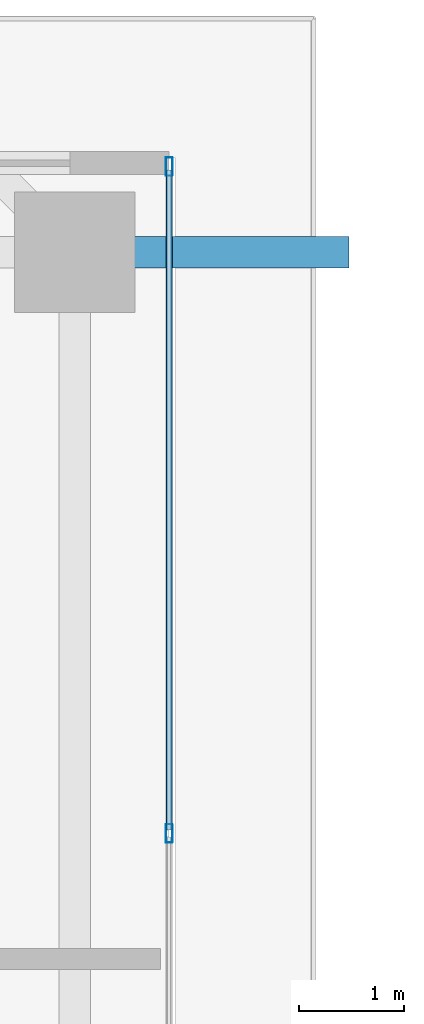
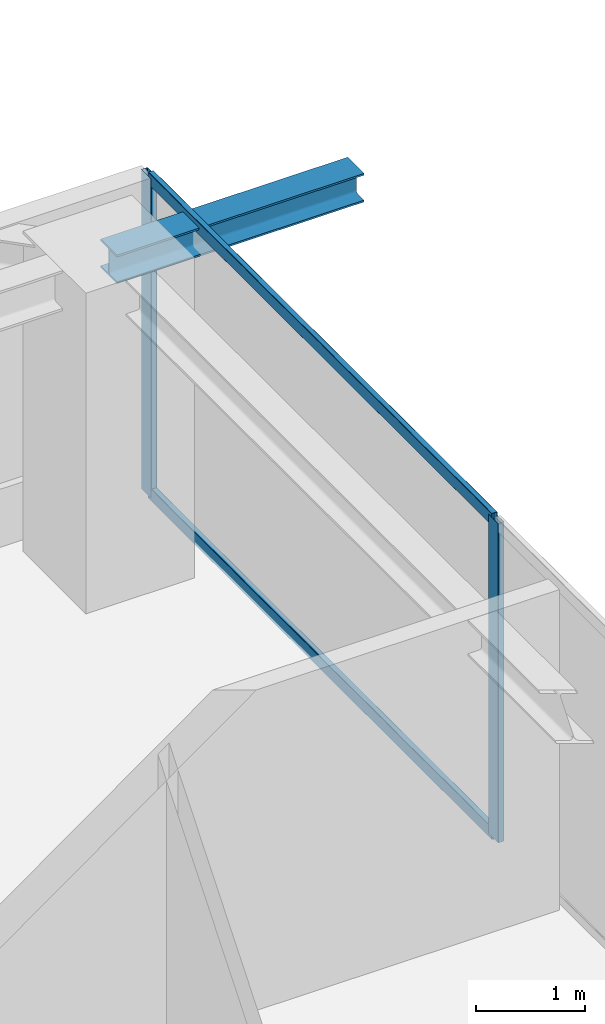
# One storey, part 22 of 36: 4 members, 1 beam, 1 element without a shape of its own.
"""IFC4 building model written with IfcOpenShell, lengths in metres."""

from ifc_helpers import new_model, si_unit, direction, frame, origin, origin_2d, place, context, subcontext, project, spatial, hollow_rectangle, i_section, extrude, source, transform, mapped, material, layer, layer_set, material_profile, profile_set, type_object, element, aggregate, save


model = new_model("IFC4")

# Units and contexts
model_context = context("Model", 3, precision=1e-05, world=origin(), true_north=direction((0.0, 1.0)))
body_context = subcontext(model_context, "Body", "Model", "MODEL_VIEW")
ifc_project = project(units=[si_unit("LENGTHUNIT", "METRE"), si_unit("AREAUNIT", "SQUARE_METRE"), si_unit("VOLUMEUNIT", "CUBIC_METRE"), si_unit("PLANEANGLEUNIT", "RADIAN"), si_unit("MASSUNIT", "GRAM", prefix="KILO")], contexts=[model_context])

# Site, building, storey
site_placement = place(None, origin())
site = spatial("IfcSite", under=ifc_project, at=site_placement, CompositionType="ELEMENT")
building_placement = place(site_placement, origin())
building = spatial("IfcBuilding", under=site, at=building_placement, Name="Serunith Strait Residences", CompositionType="ELEMENT")
storey_placement = place(building_placement, frame((0.0, 0.0, 225.85009765625)))
storey = spatial("IfcBuildingStorey", under=building, at=storey_placement, Name="L56", CompositionType="ELEMENT", Elevation=225.85009765625)

# Beam
ifc_material_1 = material(Name="Steel S355J2", Category="steel")
ifc_material_profile_1 = material_profile(ifc_material_1, i_section(OverallWidth=0.300048828125, OverallDepth=0.320068359375, WebThickness=0.011474609375, FlangeThickness=0.0205078125, FilletRadius=0.027099609375, at=origin_2d()), Name="HEB 320")
ifc_profile_set_1 = profile_set([ifc_material_profile_1], Name="Steel S355J2")
beam_type = type_object("IfcBeamType", Name="BM-HEB320", PredefinedType="BEAM", material=ifc_profile_set_1)
shared_shape_1 = source(origin(), body_context, "Body", "SweptSolid", [
    extrude(i_section(OverallWidth=0.300048828125, OverallDepth=0.320068359375, WebThickness=0.011474609375, FlangeThickness=0.0205078125, FilletRadius=0.027099609375, at=origin_2d()), origin(), (0.0, 0.0, 1.0), 2.617431640625),
])
beam_placement = place(storey_placement, frame((56.5, 40.35009765625, 3.39697265625), z_axis=(1.0, 0.0, 0.0), x_axis=(0.0, 1.0, 0.0)))
element("IfcBeam", 1, at=beam_placement, inside=storey, type_object=beam_type, Name="L57 Cantilevered Balcony Rib TC-E4", PredefinedType="BEAM", context=body_context, shape_type="MappedRepresentation", body=[
    mapped(shared_shape_1, transform((0.0, 0.0, 0.0), scale=1.0)),
])

# Curtain wall, members
ifc_material_2 = material(Name="Pale-Champagne Anodised Aluminium", Category="aluminium")
ifc_layer = layer(ifc_material_2, 0.199951171875, Name="Pale-Champagne Anodised Aluminium")
ifc_layer_set = layer_set([ifc_layer], Name="Pale-Champagne Anodised Aluminium")
curtain_wall_type = type_object("IfcCurtainWallType", Name="CW-SYS4", PredefinedType="NOTDEFINED", material=ifc_layer_set)
curtain_wall_placement = place(storey_placement, origin())
curtain_wall = element("IfcCurtainWall", 2, at=curtain_wall_placement, inside=storey, type_object=curtain_wall_type, Name="L56 E Unitised Fritted Curtain Wall", PredefinedType="NOTDEFINED")
ifc_material_profile_2 = material_profile(ifc_material_2, hollow_rectangle(XDim=0.06494140625, YDim=0.179931640625, WallThickness=0.00341796875, InnerFilletRadius=0.00537109375, OuterFilletRadius=0.0087890625, at=origin_2d()), Name="ALU 180x65x3.5")
ifc_profile_set_2 = profile_set([ifc_material_profile_2], Name="Pale-Champagne Anodised Aluminium")
member_type_1 = type_object("IfcMemberType", Name="CW-SYS4-MULL", PredefinedType="MULLION", material=ifc_profile_set_2)
shared_shape_2 = source(origin(), body_context, "Body", "SweptSolid", [
    extrude(hollow_rectangle(XDim=0.06494140625, YDim=0.179931640625, WallThickness=0.00341796875, InnerFilletRadius=0.00537109375, OuterFilletRadius=0.0087890625, at=origin_2d()), origin(), (0.0, 0.0, 1.0), 3.574951171875),
])
member_1_placement = place(storey_placement, frame((57.39990234375, 34.800048828125, 0.0), z_axis=(0.0, 0.0, 1.0), x_axis=(-1.0, 0.0, 0.0)))
member_1 = element("IfcMember", 3, at=member_1_placement, type_object=member_type_1, Name="CW-4 mullion 5", PredefinedType="MULLION", context=body_context, shape_type="MappedRepresentation", body=[
    mapped(shared_shape_2, transform((0.0, 0.0, 0.0), scale=1.0)),
])
member_2_placement = place(storey_placement, frame((57.39990234375, 41.16748046875, 0.0), z_axis=(0.0, 0.0, 1.0), x_axis=(-1.0, 0.0, 0.0)))
member_2 = element("IfcMember", 4, at=member_2_placement, type_object=member_type_1, Name="CW-4 mullion 6", PredefinedType="MULLION", context=body_context, shape_type="MappedRepresentation", body=[
    mapped(shared_shape_2, transform((0.0, 0.0, 0.0), scale=1.0)),
])
ifc_material_profile_3 = material_profile(ifc_material_2, hollow_rectangle(XDim=0.06005859375, YDim=0.139892578125, WallThickness=0.00341796875, InnerFilletRadius=0.00537109375, OuterFilletRadius=0.0087890625, at=origin_2d()), Name="ALU 140x60x3.5")
ifc_profile_set_3 = profile_set([ifc_material_profile_3], Name="Pale-Champagne Anodised Aluminium")
member_type_2 = type_object("IfcMemberType", Name="CW-SYS4-TRAN", PredefinedType="USERDEFINED", material=ifc_profile_set_3)
shared_shape_3 = source(origin(), body_context, "Body", "SweptSolid", [
    extrude(hollow_rectangle(XDim=0.06005859375, YDim=0.139892578125, WallThickness=0.00341796875, InnerFilletRadius=0.00537109375, OuterFilletRadius=0.0087890625, at=origin_2d()), origin(), (0.0, 0.0, 1.0), 6.302490234375),
])
member_3_placement = place(storey_placement, frame((57.39990234375, 34.83251953125, 0.02978515625), z_axis=(0.0, 1.0, 0.0), x_axis=(-1.0, 0.0, 0.0)))
member_3 = element("IfcMember", 5, at=member_3_placement, type_object=member_type_2, Name="CW-4 transom 5.1", ObjectType="TRANSOM", PredefinedType="USERDEFINED", context=body_context, shape_type="MappedRepresentation", body=[
    mapped(shared_shape_3, transform((0.0, 0.0, 0.0), scale=1.0)),
])
member_4_placement = place(storey_placement, frame((57.39990234375, 34.83251953125, 3.544921875), z_axis=(0.0, 1.0, 0.0), x_axis=(-1.0, 0.0, 0.0)))
member_4 = element("IfcMember", 6, at=member_4_placement, type_object=member_type_2, Name="CW-4 transom 5.2", ObjectType="TRANSOM", PredefinedType="USERDEFINED", context=body_context, shape_type="MappedRepresentation", body=[
    mapped(shared_shape_3, transform((0.0, 0.0, 0.0), scale=1.0)),
])
aggregate(curtain_wall, [member_1, member_2, member_3, member_4])

save(model, "model.ifc")
